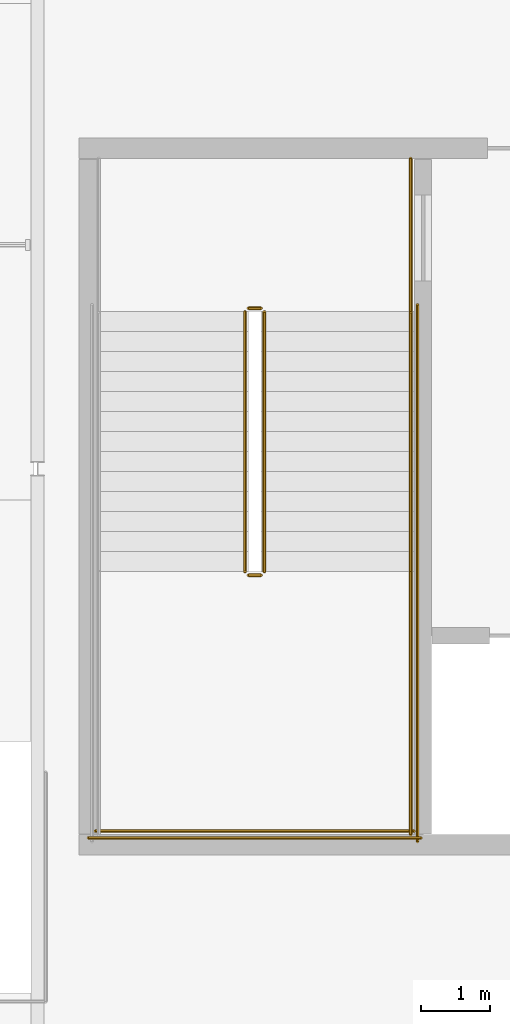
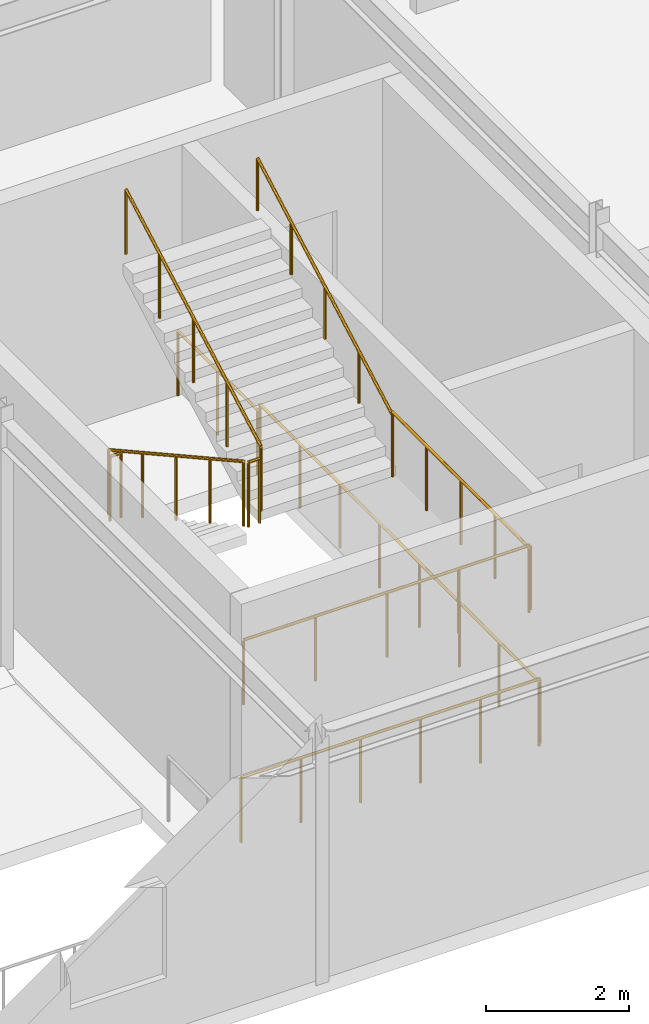
# One storey, part 47 of 50: 10 railings.
"""IFC4 building model written with IfcOpenShell, lengths in metres."""

from ifc_helpers import new_model, si_unit, direction, frame, origin, origin_2d, place, context, subcontext, project, spatial, circle, extrude, material, layer, layer_set, type_object, element, save


model = new_model("IFC4")

# Units and contexts
model_context = context("Model", 3, precision=1e-05, world=origin(), true_north=direction((0.0, 1.0)))
body_context = subcontext(model_context, "Body", "Model", "MODEL_VIEW")
ifc_project = project(units=[si_unit("LENGTHUNIT", "METRE"), si_unit("AREAUNIT", "SQUARE_METRE"), si_unit("VOLUMEUNIT", "CUBIC_METRE"), si_unit("PLANEANGLEUNIT", "RADIAN"), si_unit("MASSUNIT", "GRAM", prefix="KILO")], contexts=[model_context])

# Site, building, storey
site_placement = place(None, origin())
site = spatial("IfcSite", under=ifc_project, at=site_placement, CompositionType="ELEMENT")
building_placement = place(site_placement, origin())
building = spatial("IfcBuilding", under=site, at=building_placement, Name="Sarnbrook Museum", CompositionType="ELEMENT")
storey_placement = place(building_placement, frame((0.0, 0.0, 28.10009765625)))
storey = spatial("IfcBuildingStorey", under=building, at=storey_placement, Name="L05", CompositionType="ELEMENT", Elevation=28.10009765625)

# Railings
ifc_material = material(Name="Brushed Stainless Steel Grade 316", Category="steel")
ifc_layer_1 = layer(ifc_material, 0.050048828125)
ifc_layer_set_1 = layer_set([ifc_layer_1], Name="Brushed Stainless Steel Grade 316")
railing_type_1 = type_object("IfcRailingType", Name="Guard_Int1120", PredefinedType="BALUSTRADE", material=ifc_layer_set_1)
railing_1_placement = place(storey_placement, frame((112.610107421875, 67.8798828125, 0.16064453125)))
element("IfcRailing", 1, at=railing_1_placement, inside=storey, type_object=railing_type_1, Name="L05 ST1 stair guard 1", PredefinedType="BALUSTRADE", context=body_context, shape_type="SweptSolid", body=[
    extrude(circle(Radius=0.02392578125, at=origin_2d()), frame((0.0, 0.0, 1.09619140625), z_axis=(0.0, -0.874645791573, 0.484762559697), x_axis=(1.0, 0.0, 0.0)), (0.0, 0.0, 1.0), 4.31005859375),
    extrude(circle(Radius=0.02099609375, at=origin_2d()), origin(), (0.0, 0.0, 1.0), 1.072021484375),
    extrude(circle(Radius=0.02099609375, at=origin_2d()), frame((0.0, -0.9423828125, 0.5224609375)), (0.0, 0.0, 1.0), 1.072021484375),
    extrude(circle(Radius=0.02099609375, at=origin_2d()), frame((0.0, -1.884765625, 1.044677734375)), (0.0, 0.0, 1.0), 1.072021484375),
    extrude(circle(Radius=0.02099609375, at=origin_2d()), frame((0.0, -2.827392578125, 1.56689453125)), (0.0, 0.0, 1.0), 1.072021484375),
    extrude(circle(Radius=0.02099609375, at=origin_2d()), frame((0.0, -3.769775390625, 2.08935546875)), (0.0, 0.0, 1.0), 1.072021484375),
])
railing_2_placement = place(storey_placement, frame((112.659912109375, 64.06005859375, 2.25)))
element("IfcRailing", 2, at=railing_2_placement, inside=storey, type_object=railing_type_1, Name="L05 ST1 stair guard 2", PredefinedType="BALUSTRADE", context=body_context, shape_type="SweptSolid", body=[
    extrude(circle(Radius=0.02392578125, at=origin_2d()), frame((0.0, 0.0, 1.09619140625), z_axis=(1.0, 0.0, 0.0), x_axis=(0.0, 1.0, 0.0)), (0.0, 0.0, 1.0), 0.18017578125),
    extrude(circle(Radius=0.02099609375, at=origin_2d()), origin(), (0.0, 0.0, 1.0), 1.072021484375),
    extrude(circle(Radius=0.02099609375, at=origin_2d()), frame((0.18017578125, 0.0, 0.0)), (0.0, 0.0, 1.0), 1.072021484375),
])
railing_3_placement = place(storey_placement, frame((115.010009765625, 64.110107421875, 2.25)))
element("IfcRailing", 3, at=railing_3_placement, inside=storey, type_object=railing_type_1, Name="L05 ST1 stair guard 4", PredefinedType="BALUSTRADE", context=body_context, shape_type="SweptSolid", body=[
    extrude(circle(Radius=0.02392578125, at=origin_2d()), frame((0.0, 0.0, 1.09619140625), z_axis=(0.0, -1.0, 0.0), x_axis=(1.0, 0.0, 0.0)), (0.0, 0.0, 1.0), 3.81005859375),
    extrude(circle(Radius=0.02099609375, at=origin_2d()), origin(), (0.0, 0.0, 1.0), 1.072021484375),
    extrude(circle(Radius=0.02099609375, at=origin_2d()), frame((0.0, -0.95263671875, 0.0)), (0.0, 0.0, 1.0), 1.072021484375),
    extrude(circle(Radius=0.02099609375, at=origin_2d()), frame((0.0, -1.905029296875, 0.0)), (0.0, 0.0, 1.0), 1.072021484375),
    extrude(circle(Radius=0.02099609375, at=origin_2d()), frame((0.0, -2.857421875, 0.0)), (0.0, 0.0, 1.0), 1.072021484375),
    extrude(circle(Radius=0.02099609375, at=origin_2d()), frame((0.0, -3.81005859375, 0.0)), (0.0, 0.0, 1.0), 1.072021484375),
])
railing_4_placement = place(storey_placement, frame((110.43994140625, 60.35009765625, 2.25)))
element("IfcRailing", 4, at=railing_4_placement, inside=storey, type_object=railing_type_1, Name="L05 ST1 stair guard 5", PredefinedType="BALUSTRADE", context=body_context, shape_type="SweptSolid", body=[
    extrude(circle(Radius=0.02392578125, at=origin_2d()), frame((0.0, 0.0, 1.09619140625), z_axis=(1.0, 0.0, 0.0), x_axis=(0.0, 1.0, 0.0)), (0.0, 0.0, 1.0), 4.6201171875),
    extrude(circle(Radius=0.02099609375, at=origin_2d()), origin(), (0.0, 0.0, 1.0), 1.072021484375),
    extrude(circle(Radius=0.02099609375, at=origin_2d()), frame((1.155029296875, 0.0, 0.0)), (0.0, 0.0, 1.0), 1.072021484375),
    extrude(circle(Radius=0.02099609375, at=origin_2d()), frame((2.31005859375, 0.0, 0.0)), (0.0, 0.0, 1.0), 1.072021484375),
    extrude(circle(Radius=0.02099609375, at=origin_2d()), frame((3.465087890625, 0.0, 0.0)), (0.0, 0.0, 1.0), 1.072021484375),
    extrude(circle(Radius=0.02099609375, at=origin_2d()), frame((4.6201171875, 0.0, 0.0)), (0.0, 0.0, 1.0), 1.072021484375),
])
railing_5_placement = place(storey_placement, frame((112.889892578125, 64.110107421875, 2.41064453125)))
element("IfcRailing", 5, at=railing_5_placement, inside=storey, type_object=railing_type_1, Name="L05 ST1 stair guard 6", PredefinedType="BALUSTRADE", context=body_context, shape_type="SweptSolid", body=[
    extrude(circle(Radius=0.02392578125, at=origin_2d()), frame((0.0, 0.0, 1.09619140625), z_axis=(0.0, 0.874645791573, 0.484762559697), x_axis=(-1.0, 0.0, 0.0)), (0.0, 0.0, 1.0), 4.31005859375),
    extrude(circle(Radius=0.02099609375, at=origin_2d()), origin(), (0.0, 0.0, 1.0), 1.072021484375),
    extrude(circle(Radius=0.02099609375, at=origin_2d()), frame((0.0, 0.9423828125, 0.5224609375)), (0.0, 0.0, 1.0), 1.072021484375),
    extrude(circle(Radius=0.02099609375, at=origin_2d()), frame((0.0, 1.884765625, 1.044677734375)), (0.0, 0.0, 1.0), 1.072021484375),
    extrude(circle(Radius=0.02099609375, at=origin_2d()), frame((0.0, 2.827392578125, 1.56689453125)), (0.0, 0.0, 1.0), 1.072021484375),
    extrude(circle(Radius=0.02099609375, at=origin_2d()), frame((0.0, 3.769775390625, 2.08935546875)), (0.0, 0.0, 1.0), 1.072021484375),
])
railing_6_placement = place(storey_placement, frame((112.659912109375, 67.929931640625, 0.0)))
element("IfcRailing", 6, at=railing_6_placement, inside=storey, type_object=railing_type_1, Name="L05 ST1 stair guard 7", PredefinedType="BALUSTRADE", context=body_context, shape_type="SweptSolid", body=[
    extrude(circle(Radius=0.02392578125, at=origin_2d()), frame((0.0, 0.0, 1.09619140625), z_axis=(1.0, 0.0, 0.0), x_axis=(0.0, 1.0, 0.0)), (0.0, 0.0, 1.0), 0.18017578125),
    extrude(circle(Radius=0.02099609375, at=origin_2d()), origin(), (0.0, 0.0, 1.0), 1.072021484375),
    extrude(circle(Radius=0.02099609375, at=origin_2d()), frame((0.18017578125, 0.0, 0.0)), (0.0, 0.0, 1.0), 1.072021484375),
])
railing_7_placement = place(storey_placement, frame((115.010009765625, 70.10009765625, 0.0)))
element("IfcRailing", 7, at=railing_7_placement, inside=storey, type_object=railing_type_1, Name="L05 ST1 stair guard 9", PredefinedType="BALUSTRADE", context=body_context, shape_type="SweptSolid", body=[
    extrude(circle(Radius=0.02392578125, at=origin_2d()), frame((0.0, 0.0, 1.09619140625), z_axis=(0.0, -1.0, 0.0), x_axis=(1.0, 0.0, 0.0)), (0.0, 0.0, 1.0), 2.22021484375),
    extrude(circle(Radius=0.02099609375, at=origin_2d()), origin(), (0.0, 0.0, 1.0), 1.072021484375),
    extrude(circle(Radius=0.02099609375, at=origin_2d()), frame((0.0, -1.110107421875, 0.0)), (0.0, 0.0, 1.0), 1.072021484375),
    extrude(circle(Radius=0.02099609375, at=origin_2d()), frame((0.0, -2.22021484375, 0.0)), (0.0, 0.0, 1.0), 1.072021484375),
])
railing_8_placement = place(storey_placement, frame((115.110107421875, 67.97998046875, 0.0)))
element("IfcRailing", 8, at=railing_8_placement, inside=storey, type_object=railing_type_1, Name="L05 ST1 stair guard 11", PredefinedType="BALUSTRADE", context=body_context, shape_type="SweptSolid", body=[
    extrude(circle(Radius=0.02392578125, at=origin_2d()), frame((0.0, 0.0, 1.09619140625), z_axis=(0.0, -1.0, 0.0), x_axis=(1.0, 0.0, 0.0)), (0.0, 0.0, 1.0), 7.780029296875),
    extrude(circle(Radius=0.02099609375, at=origin_2d()), origin(), (0.0, 0.0, 1.0), 1.072021484375),
    extrude(circle(Radius=0.02099609375, at=origin_2d()), frame((0.0, -1.111328125, 0.0)), (0.0, 0.0, 1.0), 1.072021484375),
    extrude(circle(Radius=0.02099609375, at=origin_2d()), frame((0.0, -2.222900390625, 0.0)), (0.0, 0.0, 1.0), 1.072021484375),
    extrude(circle(Radius=0.02099609375, at=origin_2d()), frame((0.0, -3.334228515625, 0.0)), (0.0, 0.0, 1.0), 1.072021484375),
    extrude(circle(Radius=0.02099609375, at=origin_2d()), frame((0.0, -4.44580078125, 0.0)), (0.0, 0.0, 1.0), 1.072021484375),
    extrude(circle(Radius=0.02099609375, at=origin_2d()), frame((0.0, -5.55712890625, 0.0)), (0.0, 0.0, 1.0), 1.072021484375),
    extrude(circle(Radius=0.02099609375, at=origin_2d()), frame((0.0, -6.668701171875, 0.0)), (0.0, 0.0, 1.0), 1.072021484375),
    extrude(circle(Radius=0.02099609375, at=origin_2d()), frame((0.0, -7.780029296875, 0.0)), (0.0, 0.0, 1.0), 1.072021484375),
])
railing_9_placement = place(storey_placement, frame((110.340087890625, 60.25, 0.0)))
element("IfcRailing", 9, at=railing_9_placement, inside=storey, type_object=railing_type_1, Name="L05 ST1 stair guard 12", PredefinedType="BALUSTRADE", context=body_context, shape_type="SweptSolid", body=[
    extrude(circle(Radius=0.02392578125, at=origin_2d()), frame((0.0, 0.0, 1.09619140625), z_axis=(1.0, 0.0, 0.0), x_axis=(0.0, 1.0, 0.0)), (0.0, 0.0, 1.0), 4.81982421875),
    extrude(circle(Radius=0.02099609375, at=origin_2d()), origin(), (0.0, 0.0, 1.0), 1.072021484375),
    extrude(circle(Radius=0.02099609375, at=origin_2d()), frame((0.9638671875, 0.0, 0.0)), (0.0, 0.0, 1.0), 1.072021484375),
    extrude(circle(Radius=0.02099609375, at=origin_2d()), frame((1.927978515625, 0.0, 0.0)), (0.0, 0.0, 1.0), 1.072021484375),
    extrude(circle(Radius=0.02099609375, at=origin_2d()), frame((2.891845703125, 0.0, 0.0)), (0.0, 0.0, 1.0), 1.072021484375),
    extrude(circle(Radius=0.02099609375, at=origin_2d()), frame((3.85595703125, 0.0, 0.0)), (0.0, 0.0, 1.0), 1.072021484375),
    extrude(circle(Radius=0.02099609375, at=origin_2d()), frame((4.81982421875, 0.0, 0.0)), (0.0, 0.0, 1.0), 1.072021484375),
])
ifc_layer_2 = layer(ifc_material, 0.048095703125)
ifc_layer_set_2 = layer_set([ifc_layer_2], Name="Brushed Stainless Steel Grade 316")
railing_type_2 = type_object("IfcRailingType", Name="Handrail_920", PredefinedType="HANDRAIL", material=ifc_layer_set_2)
railing_10_placement = place(storey_placement, frame((115.010009765625, 64.110107421875, 2.41064453125)))
element("IfcRailing", 10, at=railing_10_placement, inside=storey, type_object=railing_type_2, Name="L05 ST1 stair handrail 2", PredefinedType="HANDRAIL", context=body_context, shape_type="SweptSolid", body=[
    extrude(circle(Radius=0.02392578125, at=origin_2d()), frame((0.0, 0.0, 0.8857421875), z_axis=(0.0, 0.874645791573, 0.484762559697), x_axis=(-1.0, 0.0, 0.0)), (0.0, 0.0, 1.0), 4.31005859375),
    extrude(circle(Radius=0.02099609375, at=origin_2d()), origin(), (0.0, 0.0, 1.0), 0.86181640625),
    extrude(circle(Radius=0.02099609375, at=origin_2d()), frame((0.0, 0.9423828125, 0.5224609375)), (0.0, 0.0, 1.0), 0.86181640625),
    extrude(circle(Radius=0.02099609375, at=origin_2d()), frame((0.0, 1.884765625, 1.044677734375)), (0.0, 0.0, 1.0), 0.86181640625),
    extrude(circle(Radius=0.02099609375, at=origin_2d()), frame((0.0, 2.827392578125, 1.56689453125)), (0.0, 0.0, 1.0), 0.86181640625),
    extrude(circle(Radius=0.02099609375, at=origin_2d()), frame((0.0, 3.769775390625, 2.08935546875)), (0.0, 0.0, 1.0), 0.86181640625),
])

save(model, "model.ifc")
